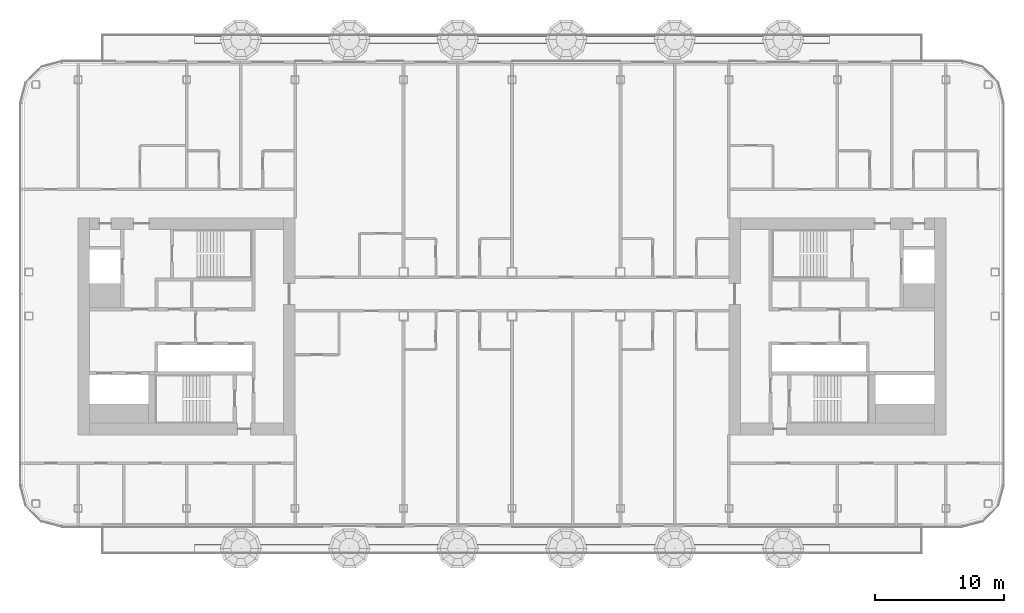
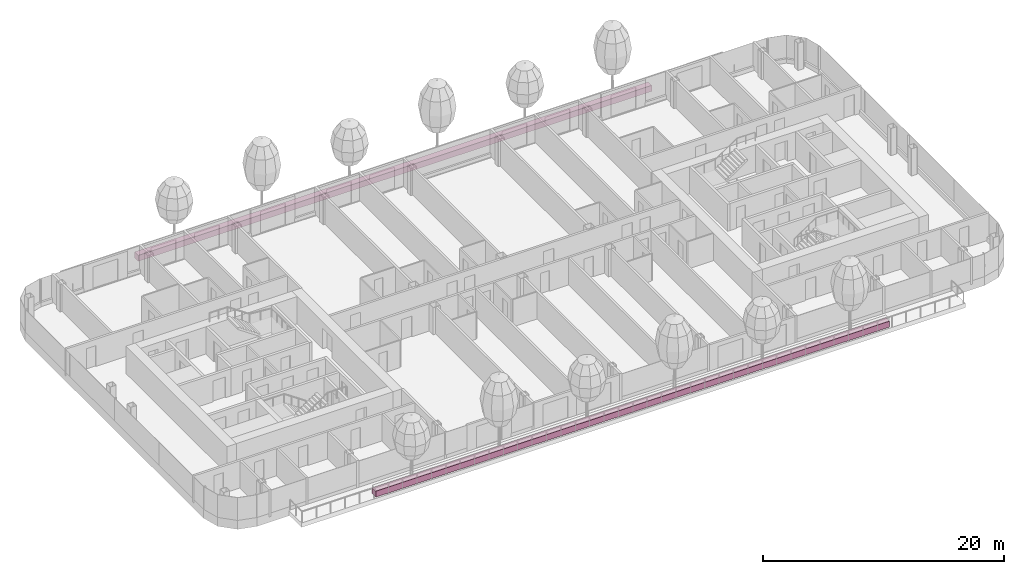
# One storey, part 25 of 28: 2 furniture elements.
"""IFC4 building model written with IfcOpenShell, lengths in metres."""

from ifc_helpers import new_model, si_unit, direction, frame, origin, origin_2d, place, context, subcontext, project, spatial, rectangle, extrude, material, type_object, element, save


model = new_model("IFC4")

# Units and contexts
model_context = context("Model", 3, precision=1e-05, world=origin(), true_north=direction((0.0, 1.0)))
body_context = subcontext(model_context, "Body", "Model", "MODEL_VIEW")
ifc_project = project(units=[si_unit("LENGTHUNIT", "METRE"), si_unit("AREAUNIT", "SQUARE_METRE"), si_unit("VOLUMEUNIT", "CUBIC_METRE"), si_unit("PLANEANGLEUNIT", "RADIAN"), si_unit("MASSUNIT", "GRAM", prefix="KILO")], contexts=[model_context])

# Site, building, storey
site_placement = place(None, origin())
site = spatial("IfcSite", under=ifc_project, at=site_placement, CompositionType="ELEMENT")
building_placement = place(site_placement, origin())
building = spatial("IfcBuilding", under=site, at=building_placement, Name="Hakoniwa Tower and Hamabe Station Hall", CompositionType="ELEMENT")
storey_placement = place(building_placement, frame((0.0, 0.0, 193.0)))
storey = spatial("IfcBuildingStorey", under=building, at=storey_placement, Name="L54", CompositionType="ELEMENT", Elevation=193.0)

# Furniture
ifc_material = material(Name="Aluminium 6063-T5 black anodised trough with lightweight soil", Category="aluminium")
furniture_type = type_object("IfcFurnitureType", Name="Planter 600x600", AssemblyPlace="SITE", PredefinedType="USERDEFINED", material=ifc_material)
for number, where, z_axis, x_axis, name in (
    (1, (0.0, 22.199951171875, 0.0), (0.0, 0.0, 1.0), (1.0, 0.0, 0.0), "Planter 600x600"),
    (2, (0.0, -17.199951171875, 0.0), (0.0, 0.0, 1.0), (1.0, 0.0, 0.0), "Planter 600x600"),
):
    element("IfcFurniture", number, at=place(storey_placement, frame(where, z_axis=z_axis, x_axis=x_axis)), inside=storey, type_object=furniture_type, Name=name, ObjectType="PLANTER", PredefinedType="USERDEFINED", context=body_context, shape_type="SweptSolid", body=[
        extrude(rectangle(XDim=49.199951171875, YDim=0.60009765625, at=origin_2d()), origin(), (0.0, 0.0, 1.0), 0.60009765625),
    ])

save(model, "model.ifc")
